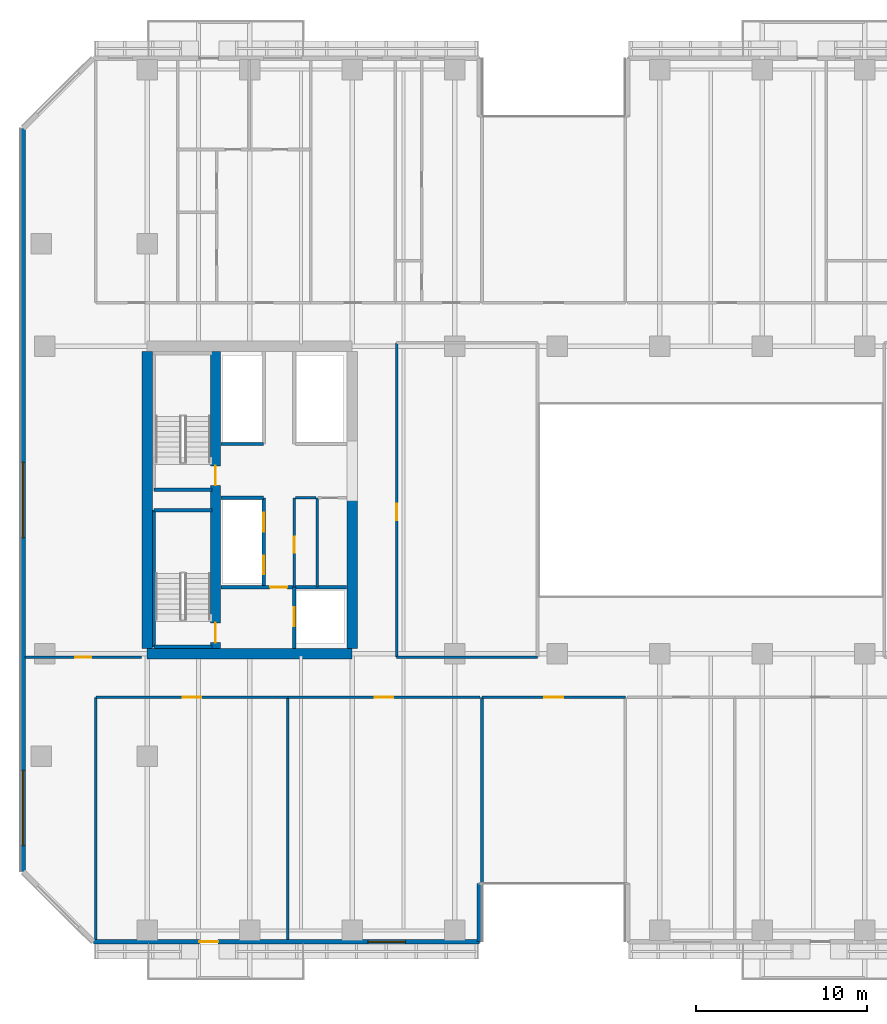
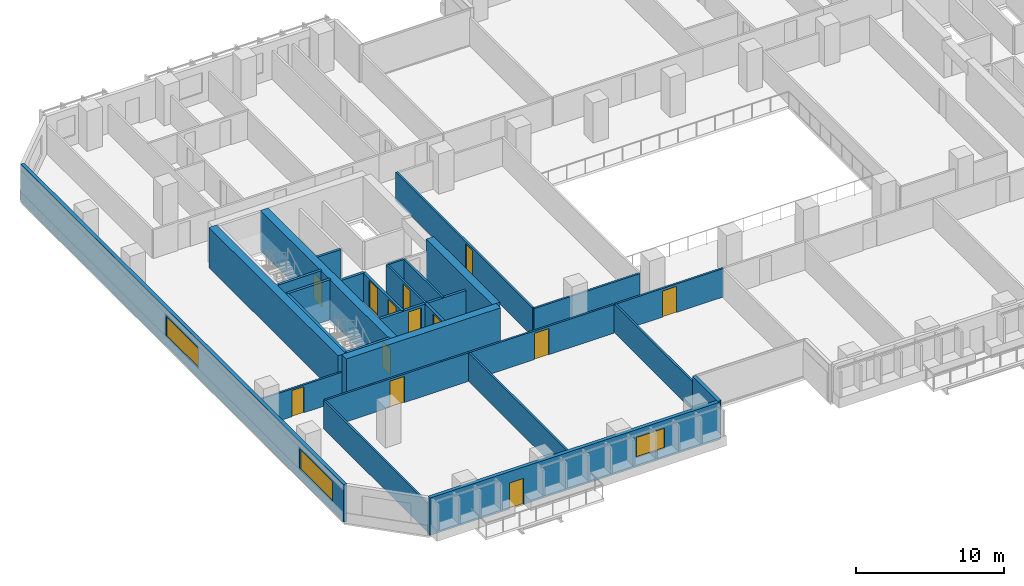
# One storey, part 10 of 25: 28 walls, 13 doors, 3 windows, 16 openings.
"""IFC4 building model written with IfcOpenShell, lengths in metres."""

from ifc_helpers import new_model, si_unit, direction, frame, frame_2d, origin, place, context, subcontext, project, spatial, rectangle, extrude, material, layer, layer_set, type_object, element, fill, save


model = new_model("IFC4")

# Units and contexts
model_context = context("Model", 3, precision=1e-05, world=origin(), true_north=direction((0.0, 1.0)))
body_context = subcontext(model_context, "Body", "Model", "MODEL_VIEW")
ifc_project = project(units=[si_unit("LENGTHUNIT", "METRE"), si_unit("AREAUNIT", "SQUARE_METRE"), si_unit("VOLUMEUNIT", "CUBIC_METRE"), si_unit("PLANEANGLEUNIT", "RADIAN"), si_unit("MASSUNIT", "GRAM", prefix="KILO")], contexts=[model_context])

# Site, building, storey
site_placement = place(None, origin())
site = spatial("IfcSite", under=ifc_project, at=site_placement, CompositionType="ELEMENT")
building_placement = place(site_placement, origin())
building = spatial("IfcBuilding", under=site, at=building_placement, Name="Tanjung Sevakor Pilgrim Tower", CompositionType="ELEMENT")
storey_placement = place(building_placement, frame((0.0, 0.0, 42.239990234375)))
storey = spatial("IfcBuildingStorey", under=building, at=storey_placement, Name="L11", CompositionType="ELEMENT", Elevation=42.239990234375)

# Walls
ifc_material_1 = material(Name="Concrete C60/75", Category="concrete")
ifc_layer_1 = layer(ifc_material_1, 0.60009765625)
ifc_layer_set_1 = layer_set([ifc_layer_1], Name="WALL-CW-600")
wall_type_1 = type_object("IfcWallType", Name="WALL-CW-600", PredefinedType="SHEAR", material=ifc_layer_set_1)
wall_1_placement = place(storey_placement, frame((24.0, 24.60009765625, 0.0), z_axis=(0.0, 0.0, 1.0), x_axis=(1.0, 0.0, 0.0)))
element("IfcWall", 1, at=wall_1_placement, inside=storey, type_object=wall_type_1, Name="L11 W Core South Shear Wall", PredefinedType="SHEAR", context=body_context, shape_type="SweptSolid", body=[
    extrude(rectangle(XDim=12.0, YDim=0.60009765625, at=frame_2d((6.0, 0.0))), origin(), (0.0, 0.0, 1.0), 3.300048828125),
])
wall_2_placement = place(storey_placement, frame((24.0, 24.89990234375, 0.0), z_axis=(0.0, 0.0, 1.0), x_axis=(0.0, 1.0, 0.0)))
element("IfcWall", 2, at=wall_2_placement, inside=storey, type_object=wall_type_1, Name="L11 W Core Outer Shear Wall", PredefinedType="SHEAR", context=body_context, shape_type="SweptSolid", body=[
    extrude(rectangle(XDim=17.400146484375, YDim=0.60009765625, at=frame_2d((8.7001953125, 0.0))), origin(), (0.0, 0.0, 1.0), 3.300048828125),
])
wall_3_placement = place(storey_placement, frame((36.0, 24.89990234375, 0.0), z_axis=(0.0, 0.0, 1.0), x_axis=(0.0, 1.0, 0.0)))
element("IfcWall", 3, at=wall_3_placement, inside=storey, type_object=wall_type_1, Name="L11 W Core Inner Shear Wall South", PredefinedType="SHEAR", context=body_context, shape_type="SweptSolid", body=[
    extrude(rectangle(XDim=8.900146484375, YDim=0.60009765625, at=frame_2d((4.4501953125, 0.0))), origin(), (0.0, 0.0, 1.0), 3.300048828125),
])

# Wall, openings, doors
wall_4_placement = place(storey_placement, frame((28.0, 24.89990234375, 0.0), z_axis=(0.0, 0.0, 1.0), x_axis=(0.0, 1.0, 0.0)))
wall_4 = element("IfcWall", 4, at=wall_4_placement, inside=storey, type_object=wall_type_1, Name="L11 W Core Stair Spine Wall", PredefinedType="SHEAR", context=body_context, shape_type="SweptSolid", body=[
    extrude(rectangle(XDim=17.400146484375, YDim=0.60009765625, at=frame_2d((8.7001953125, 0.0))), origin(), (0.0, 0.0, 1.0), 3.300048828125),
])
opening_1_placement = place(wall_4_placement, frame((0.35009765625, 0.0, 0.0)))
opening_1 = element("IfcOpeningElement", 5, at=opening_1_placement, cuts=wall_4, Name="Opening ID-ST1", PredefinedType="OPENING", context=body_context, shape_type="SweptSolid", body=[
    extrude(rectangle(XDim=1.14990234375, YDim=2.14990234375, at=frame_2d((0.574951171875, 1.074951171875))), frame((0.0, 0.31005859375, 0.0), z_axis=(0.0, -1.0, 0.0), x_axis=(1.0, 0.0, 0.0)), (0.0, 0.0, 1.0), 0.6201171875),
])
opening_2_placement = place(wall_4_placement, frame((9.550048828125, 0.0, 0.0)))
opening_2 = element("IfcOpeningElement", 6, at=opening_2_placement, cuts=wall_4, Name="Opening ID-ST1", PredefinedType="OPENING", context=body_context, shape_type="SweptSolid", body=[
    extrude(rectangle(XDim=1.14990234375, YDim=2.14990234375, at=frame_2d((0.574951171875, 1.074951171875))), frame((0.0, 0.31005859375, 0.0), z_axis=(0.0, -1.0, 0.0), x_axis=(1.0, 0.0, 0.0)), (0.0, 0.0, 1.0), 0.6201171875),
])
ifc_material_2 = material(Name="Fire-Rated Steel S355J2", Category="steel")
door_type_1 = type_object("IfcDoorType", Name="DT-FIRE-1150", OperationType="NOTDEFINED", PredefinedType="DOOR", material=ifc_material_2)
door_1_placement = place(opening_1_placement, origin())
door_1 = element("IfcDoor", 7, at=door_1_placement, inside=storey, type_object=door_type_1, Name="L11 TS-W1 Stair Fire Door", OperationType="SINGLE_SWING_RIGHT", OverallHeight=2.14990234375, OverallWidth=1.14990234375, PredefinedType="DOOR", context=body_context, shape_type="SweptSolid", body=[
    extrude(rectangle(XDim=1.14990234375, YDim=2.14990234375, at=frame_2d((0.574951171875, 1.074951171875))), frame((0.0, 0.02490234375, 0.0), z_axis=(0.0, -1.0, 0.0), x_axis=(1.0, 0.0, 0.0)), (0.0, 0.0, 1.0), 0.050048828125),
])
fill(opening_1, door_1)
door_2_placement = place(opening_2_placement, origin())
door_2 = element("IfcDoor", 8, at=door_2_placement, inside=storey, type_object=door_type_1, Name="L11 TS-W2 Stair Fire Door", OperationType="SINGLE_SWING_LEFT", OverallHeight=2.14990234375, OverallWidth=1.14990234375, PredefinedType="DOOR", context=body_context, shape_type="SweptSolid", body=[
    extrude(rectangle(XDim=1.14990234375, YDim=2.14990234375, at=frame_2d((0.574951171875, 1.074951171875))), frame((0.0, 0.02490234375, 0.0), z_axis=(0.0, -1.0, 0.0), x_axis=(1.0, 0.0, 0.0)), (0.0, 0.0, 1.0), 0.050048828125),
])
fill(opening_2, door_2)

# Walls
ifc_material_3 = material(Name="Concrete C40/50", Category="concrete")
ifc_layer_2 = layer(ifc_material_3, 0.14990234375)
ifc_layer_set_2 = layer_set([ifc_layer_2], Name="WT-COMP-150")
wall_type_2 = type_object("IfcWallType", Name="WT-COMP-150", PredefinedType="SOLIDWALL", material=ifc_layer_set_2)
wall_5_placement = place(storey_placement, frame((33.949951171875, 28.5, 0.0), z_axis=(0.0, 0.0, 1.0), x_axis=(0.0, 1.0, 0.0)))
element("IfcWall", 9, at=wall_5_placement, inside=storey, type_object=wall_type_2, Name="L11 Partition IW-L11-005", PredefinedType="SOLIDWALL", context=body_context, shape_type="SweptSolid", body=[
    extrude(rectangle(XDim=5.219970703125, YDim=0.14990234375, at=frame_2d((2.60986328125, 0.0))), origin(), (0.0, 0.0, 1.0), 2.35009765625),
])
wall_6_placement = place(storey_placement, frame((32.679931640625, 33.719970703125, 0.0), z_axis=(0.0, 0.0, 1.0), x_axis=(1.0, 0.0, 0.0)))
element("IfcWall", 10, at=wall_6_placement, inside=storey, type_object=wall_type_2, Name="L11 Partition IW-L11-006", PredefinedType="SOLIDWALL", context=body_context, shape_type="SweptSolid", body=[
    extrude(rectangle(XDim=1.2099609375, YDim=0.14990234375, at=frame_2d((0.60498046875, 0.0))), origin(), (0.0, 0.0, 1.0), 2.35009765625),
])

# Wall, opening, door
wall_7_placement = place(storey_placement, frame((32.6201171875, 28.5, 0.0), z_axis=(0.0, 0.0, 1.0), x_axis=(0.0, 1.0, 0.0)))
wall_7 = element("IfcWall", 11, at=wall_7_placement, inside=storey, type_object=wall_type_2, Name="L11 Partition IW-L11-008", PredefinedType="SOLIDWALL", context=body_context, shape_type="SweptSolid", body=[
    extrude(rectangle(XDim=5.219970703125, YDim=0.14990234375, at=frame_2d((2.60986328125, 0.0))), origin(), (0.0, 0.0, 1.0), 2.35009765625),
])
opening_3_placement = place(wall_7_placement, frame((2.0, 0.0, 0.0)))
opening_3 = element("IfcOpeningElement", 12, at=opening_3_placement, cuts=wall_7, Name="Opening ID-FD2", PredefinedType="OPENING", context=body_context, shape_type="SweptSolid", body=[
    extrude(rectangle(XDim=0.949951171875, YDim=2.14990234375, at=frame_2d((0.47509765625, 1.074951171875))), frame((0.0, 0.0849609375, 0.0), z_axis=(0.0, -1.0, 0.0), x_axis=(1.0, 0.0, 0.0)), (0.0, 0.0, 1.0), 0.169921875),
])
ifc_material_4 = material(Name="Fire-Rated Timber", Category="wood")
door_type_2 = type_object("IfcDoorType", Name="DT-FIRE-950", OperationType="NOTDEFINED", PredefinedType="DOOR", material=ifc_material_4)
door_3_placement = place(opening_3_placement, origin())
door_3 = element("IfcDoor", 13, at=door_3_placement, inside=storey, type_object=door_type_2, Name="L11 Accessible WC Door", OperationType="SINGLE_SWING_LEFT", OverallHeight=2.14990234375, OverallWidth=0.949951171875, PredefinedType="DOOR", context=body_context, shape_type="SweptSolid", body=[
    extrude(rectangle(XDim=0.949951171875, YDim=2.14990234375, at=frame_2d((0.47509765625, 1.074951171875))), frame((0.0, 0.02490234375, 0.0), z_axis=(0.0, -1.0, 0.0), x_axis=(1.0, 0.0, 0.0)), (0.0, 0.0, 1.0), 0.050048828125),
])
fill(opening_3, door_3)

# Wall
wall_8_placement = place(storey_placement, frame((38.60009765625, 24.39990234375, 0.0), z_axis=(0.0, 0.0, 1.0), x_axis=(1.0, 0.0, 0.0)))
element("IfcWall", 14, at=wall_8_placement, inside=storey, type_object=wall_type_2, Name="L11 Partition IW-L11-025", PredefinedType="SOLIDWALL", context=body_context, shape_type="SweptSolid", body=[
    extrude(rectangle(XDim=8.25, YDim=0.14990234375, at=frame_2d((4.125, 0.0))), origin(), (0.0, 0.0, 1.0), 2.295166015625),
])

# Wall, opening, door
wall_9_placement = place(storey_placement, frame((38.60009765625, 24.39990234375, 0.0), z_axis=(0.0, 0.0, 1.0), x_axis=(0.0, 1.0, 0.0)))
wall_9 = element("IfcWall", 15, at=wall_9_placement, inside=storey, type_object=wall_type_2, Name="L11 Partition IW-L11-027", PredefinedType="SOLIDWALL", context=body_context, shape_type="SweptSolid", body=[
    extrude(rectangle(XDim=18.400146484375, YDim=0.14990234375, at=frame_2d((9.2001953125, 0.0))), origin(), (0.0, 0.0, 1.0), 2.35009765625),
])
opening_4_placement = place(wall_9_placement, frame((8.02490234375, 0.0, 0.0)))
opening_4 = element("IfcOpeningElement", 16, at=opening_4_placement, cuts=wall_9, Name="Opening ID-RM1", PredefinedType="OPENING", context=body_context, shape_type="SweptSolid", body=[
    extrude(rectangle(XDim=0.949951171875, YDim=2.14990234375, at=frame_2d((0.47509765625, 1.074951171875))), frame((0.0, 0.0849609375, 0.0), z_axis=(0.0, -1.0, 0.0), x_axis=(1.0, 0.0, 0.0)), (0.0, 0.0, 1.0), 0.169921875),
])
ifc_material_5 = material(Name="Hardwood Timber", Category="wood")
door_type_3 = type_object("IfcDoorType", Name="DT-INT-950", OperationType="NOTDEFINED", PredefinedType="DOOR", material=ifc_material_5)
door_4_placement = place(opening_4_placement, origin())
door_4 = element("IfcDoor", 17, at=door_4_placement, inside=storey, type_object=door_type_3, Name="L11 Central West Room Door", OperationType="SINGLE_SWING_RIGHT", OverallHeight=2.14990234375, OverallWidth=0.949951171875, PredefinedType="DOOR", context=body_context, shape_type="SweptSolid", body=[
    extrude(rectangle(XDim=0.949951171875, YDim=2.14990234375, at=frame_2d((0.47509765625, 1.074951171875))), frame((0.0, 0.02490234375, 0.0), z_axis=(0.0, -1.0, 0.0), x_axis=(1.0, 0.0, 0.0)), (0.0, 0.0, 1.0), 0.050048828125),
])
fill(opening_4, door_4)

wall_10_placement = place(storey_placement, frame((16.840087890625, 24.39990234375, 0.0), z_axis=(0.0, 0.0, 1.0), x_axis=(1.0, 0.0, 0.0)))
wall_10 = element("IfcWall", 18, at=wall_10_placement, inside=storey, type_object=wall_type_2, Name="L11 Partition IW-L11-033", PredefinedType="SOLIDWALL", context=body_context, shape_type="SweptSolid", body=[
    extrude(rectangle(XDim=6.83984375, YDim=0.14990234375, at=frame_2d((3.419921875, 0.0))), origin(), (0.0, 0.0, 1.0), 2.295166015625),
])
opening_5_placement = place(wall_10_placement, frame((2.945068359375, 0.0, 0.0)))
opening_5 = element("IfcOpeningElement", 19, at=opening_5_placement, cuts=wall_10, Name="Opening ID-FD2", PredefinedType="OPENING", context=body_context, shape_type="SweptSolid", body=[
    extrude(rectangle(XDim=0.949951171875, YDim=2.14990234375, at=frame_2d((0.47509765625, 1.074951171875))), frame((0.0, 0.0849609375, 0.0), z_axis=(0.0, -1.0, 0.0), x_axis=(1.0, 0.0, 0.0)), (0.0, 0.0, 1.0), 0.169921875),
])
door_5_placement = place(opening_5_placement, origin())
door_5 = element("IfcDoor", 20, at=door_5_placement, inside=storey, type_object=door_type_2, Name="Study Room Entrance", OperationType="SINGLE_SWING_RIGHT", OverallHeight=2.14990234375, OverallWidth=0.949951171875, PredefinedType="DOOR", context=body_context, shape_type="SweptSolid", body=[
    extrude(rectangle(XDim=0.949951171875, YDim=2.14990234375, at=frame_2d((0.47509765625, 1.074951171875))), frame((0.0, 0.02490234375, 0.0), z_axis=(0.0, -1.0, 0.0), x_axis=(1.0, 0.0, 0.0)), (0.0, 0.0, 1.0), 0.050048828125),
])
fill(opening_5, door_5)

wall_11_placement = place(storey_placement, frame((43.60009765625, 22.050048828125, 0.0), z_axis=(0.0, 0.0, 1.0), x_axis=(1.0, 0.0, 0.0)))
wall_11 = element("IfcWall", 21, at=wall_11_placement, inside=storey, type_object=wall_type_2, Name="L11 Partition IW-L11-040", PredefinedType="SOLIDWALL", context=body_context, shape_type="SweptSolid", body=[
    extrude(rectangle(XDim=8.39990234375, YDim=0.14990234375, at=frame_2d((4.199951171875, 0.0))), origin(), (0.0, 0.0, 1.0), 2.35009765625),
])
opening_6_placement = place(wall_11_placement, frame((3.64990234375, 0.0, 0.0)))
opening_6 = element("IfcOpeningElement", 22, at=opening_6_placement, cuts=wall_11, Name="Opening ID-RM2", PredefinedType="OPENING", context=body_context, shape_type="SweptSolid", body=[
    extrude(rectangle(XDim=1.10009765625, YDim=2.14990234375, at=frame_2d((0.550048828125, 1.074951171875))), frame((0.0, 0.0849609375, 0.0), z_axis=(0.0, -1.0, 0.0), x_axis=(1.0, 0.0, 0.0)), (0.0, 0.0, 1.0), 0.169921875),
])
ifc_material_6 = material(Name="Hardwood Timber", Category="wood")
door_type_4 = type_object("IfcDoorType", Name="DT-INT-1100", OperationType="NOTDEFINED", PredefinedType="DOOR", material=ifc_material_6)
door_6_placement = place(opening_6_placement, origin())
door_6 = element("IfcDoor", 23, at=door_6_placement, inside=storey, type_object=door_type_4, Name="L11 South Cleft Tea Sanctuary Door", OperationType="SINGLE_SWING_LEFT", OverallHeight=2.14990234375, OverallWidth=1.10009765625, PredefinedType="DOOR", context=body_context, shape_type="SweptSolid", body=[
    extrude(rectangle(XDim=1.10009765625, YDim=2.14990234375, at=frame_2d((0.550048828125, 1.074951171875))), frame((0.0, 0.02490234375, 0.0), z_axis=(0.0, -1.0, 0.0), x_axis=(1.0, 0.0, 0.0)), (0.0, 0.0, 1.0), 0.050048828125),
])
fill(opening_6, door_6)

# Walls
for number, where, z_axis, x_axis, name in (
    (24, (43.60009765625, 7.8798828125, 0.0), (0.0, 0.0, 1.0), (0.0, 1.0, 0.0), "L11 Partition IW-L11-041"),
    (25, (21.0, 7.8798828125, 0.0), (0.0, 0.0, 1.0), (0.0, 1.0, 0.0), "L11 Partition IW-L11-046"),
    (26, (32.239990234375, 7.8798828125, 0.0), (0.0, 0.0, 1.0), (0.0, 1.0, 0.0), "L11 Partition IW-L11-047"),
):
    element("IfcWall", number, at=place(storey_placement, frame(where, z_axis=z_axis, x_axis=x_axis)), inside=storey, type_object=wall_type_2, Name=name, PredefinedType="SOLIDWALL", context=body_context, shape_type="SweptSolid", body=[
        extrude(rectangle(XDim=14.170166015625, YDim=0.14990234375, at=frame_2d((7.0849609375, 0.0))), origin(), (0.0, 0.0, 1.0), 2.35009765625),
    ])

# Wall, opening, door
wall_12_placement = place(storey_placement, frame((21.0, 22.050048828125, 0.0), z_axis=(0.0, 0.0, 1.0), x_axis=(1.0, 0.0, 0.0)))
wall_12 = element("IfcWall", 27, at=wall_12_placement, inside=storey, type_object=wall_type_2, Name="L11 Partition IW-L11-048", PredefinedType="SOLIDWALL", context=body_context, shape_type="SweptSolid", body=[
    extrude(rectangle(XDim=11.239990234375, YDim=0.14990234375, at=frame_2d((5.6201171875, 0.0))), origin(), (0.0, 0.0, 1.0), 2.35009765625),
])
opening_7_placement = place(wall_12_placement, frame((5.070068359375, 0.0, 0.0)))
opening_7 = element("IfcOpeningElement", 28, at=opening_7_placement, cuts=wall_12, Name="Opening ID-FD0", PredefinedType="OPENING", context=body_context, shape_type="SweptSolid", body=[
    extrude(rectangle(XDim=1.10009765625, YDim=2.14990234375, at=frame_2d((0.550048828125, 1.074951171875))), frame((0.0, 0.0849609375, 0.0), z_axis=(0.0, -1.0, 0.0), x_axis=(1.0, 0.0, 0.0)), (0.0, 0.0, 1.0), 0.169921875),
])
ifc_material_7 = material(Name="Fire-Rated Steel S355J2", Category="steel")
door_type_5 = type_object("IfcDoorType", Name="DT-FIRE-1100", OperationType="NOTDEFINED", PredefinedType="DOOR", material=ifc_material_7)
door_7_placement = place(opening_7_placement, origin())
door_7 = element("IfcDoor", 29, at=door_7_placement, inside=storey, type_object=door_type_5, Name="Communal Lounge Door", OperationType="SINGLE_SWING_LEFT", OverallHeight=2.14990234375, OverallWidth=1.10009765625, PredefinedType="DOOR", context=body_context, shape_type="SweptSolid", body=[
    extrude(rectangle(XDim=1.10009765625, YDim=2.14990234375, at=frame_2d((0.550048828125, 1.074951171875))), frame((0.0, 0.02490234375, 0.0), z_axis=(0.0, -1.0, 0.0), x_axis=(1.0, 0.0, 0.0)), (0.0, 0.0, 1.0), 0.050048828125),
])
fill(opening_7, door_7)

wall_13_placement = place(storey_placement, frame((32.239990234375, 22.050048828125, 0.0), z_axis=(0.0, 0.0, 1.0), x_axis=(1.0, 0.0, 0.0)))
wall_13 = element("IfcWall", 30, at=wall_13_placement, inside=storey, type_object=wall_type_2, Name="L11 Partition IW-L11-049", PredefinedType="SOLIDWALL", context=body_context, shape_type="SweptSolid", body=[
    extrude(rectangle(XDim=11.239990234375, YDim=0.14990234375, at=frame_2d((5.6201171875, 0.0))), origin(), (0.0, 0.0, 1.0), 2.35009765625),
])
opening_8_placement = place(wall_13_placement, frame((5.070068359375, 0.0, 0.0)))
opening_8 = element("IfcOpeningElement", 31, at=opening_8_placement, cuts=wall_13, Name="Opening ID-FD0", PredefinedType="OPENING", context=body_context, shape_type="SweptSolid", body=[
    extrude(rectangle(XDim=1.10009765625, YDim=2.14990234375, at=frame_2d((0.550048828125, 1.074951171875))), frame((0.0, 0.0849609375, 0.0), z_axis=(0.0, -1.0, 0.0), x_axis=(1.0, 0.0, 0.0)), (0.0, 0.0, 1.0), 0.169921875),
])
door_8_placement = place(opening_8_placement, origin())
door_8 = element("IfcDoor", 32, at=door_8_placement, inside=storey, type_object=door_type_5, Name="Council Room Door", OperationType="SINGLE_SWING_RIGHT", OverallHeight=2.14990234375, OverallWidth=1.10009765625, PredefinedType="DOOR", context=body_context, shape_type="SweptSolid", body=[
    extrude(rectangle(XDim=1.10009765625, YDim=2.14990234375, at=frame_2d((0.550048828125, 1.074951171875))), frame((0.0, 0.02490234375, 0.0), z_axis=(0.0, -1.0, 0.0), x_axis=(1.0, 0.0, 0.0)), (0.0, 0.0, 1.0), 0.050048828125),
])
fill(opening_8, door_8)

# Wall, openings, door, window
ifc_material_8 = material(Name="Precast concrete C45/55", Category="concrete")
ifc_layer_3 = layer(ifc_material_8, 0.280029296875)
ifc_layer_set_3 = layer_set([ifc_layer_3], Name="WT-EW-STN2")
wall_type_3 = type_object("IfcWallType", Name="WT-EW-STN2", PredefinedType="SOLIDWALL", material=ifc_layer_set_3)
wall_14_placement = place(storey_placement, frame((20.85791015625, 7.739990234375, 0.0), z_axis=(0.0, 0.0, 1.0), x_axis=(1.0, 0.0, 0.0)))
wall_14 = element("IfcWall", 33, at=wall_14_placement, inside=storey, type_object=wall_type_3, Name="L11 MAIN Exterior Wall 1", PredefinedType="SOLIDWALL", context=body_context, shape_type="SweptSolid", body=[
    extrude(rectangle(XDim=22.60205078125, YDim=0.280029296875, at=frame_2d((11.301025390625, 0.0))), origin(), (0.0, 0.0, 1.0), 3.080078125),
])
opening_9_placement = place(wall_14_placement, frame((6.19189453125, 0.0, 0.0)))
opening_9 = element("IfcOpeningElement", 34, at=opening_9_placement, cuts=wall_14, Name="Opening ED-BAL-1100", PredefinedType="OPENING", context=body_context, shape_type="SweptSolid", body=[
    extrude(rectangle(XDim=1.10009765625, YDim=2.14990234375, at=frame_2d((0.550048828125, 1.074951171875))), frame((0.0, 0.14990234375, 0.0), z_axis=(0.0, -1.0, 0.0), x_axis=(1.0, 0.0, 0.0)), (0.0, 0.0, 1.0), 0.300048828125),
])
opening_10_placement = place(wall_14_placement, frame((16.06201171875, 0.0, 0.780029296875)))
opening_10 = element("IfcOpeningElement", 35, at=opening_10_placement, cuts=wall_14, Name="Opening WN-Z1-1660", PredefinedType="OPENING", context=body_context, shape_type="SweptSolid", body=[
    extrude(rectangle(XDim=2.199951171875, YDim=1.659912109375, at=frame_2d((1.10009765625, 0.830078125))), frame((0.0, 0.14990234375, 0.0), z_axis=(0.0, -1.0, 0.0), x_axis=(1.0, 0.0, 0.0)), (0.0, 0.0, 1.0), 0.300048828125),
])
ifc_material_9 = material(Name="Anodised Aluminium and Laminated Glass", Category="aluminium")
door_type_6 = type_object("IfcDoorType", Name="DTYP-ED-BAL-1100", OperationType="NOTDEFINED", PredefinedType="DOOR", material=ifc_material_9)
door_9_placement = place(opening_9_placement, frame((1.10009765625, 0.0, 0.0), z_axis=(0.0, 0.0, 1.0), x_axis=(-1.0, 0.0, 0.0)))
door_9 = element("IfcDoor", 36, at=door_9_placement, inside=storey, type_object=door_type_6, Name="L11 Balcony Door MAIN-S1", OperationType="SINGLE_SWING_RIGHT", OverallHeight=2.14990234375, OverallWidth=1.10009765625, PredefinedType="DOOR", context=body_context, shape_type="SweptSolid", body=[
    extrude(rectangle(XDim=1.10009765625, YDim=2.14990234375, at=frame_2d((0.550048828125, 1.074951171875))), frame((0.0, 0.02490234375, 0.0), z_axis=(0.0, -1.0, 0.0), x_axis=(1.0, 0.0, 0.0)), (0.0, 0.0, 1.0), 0.050048828125),
])
fill(opening_9, door_9)
ifc_material_10 = material(Name="Thermally Broken Aluminium and Low-E Glass", Category="aluminium")
window_type_1 = type_object("IfcWindowType", Name="WTYP-WN-Z1-1660", PartitioningType="DOUBLE_PANEL_VERTICAL", PredefinedType="WINDOW", material=ifc_material_10)
window_1_placement = place(opening_10_placement, origin())
window_1 = element("IfcWindow", 37, at=window_1_placement, inside=storey, type_object=window_type_1, Name="L11 Facade Window 01", OverallHeight=1.659912109375, OverallWidth=2.199951171875, PartitioningType="SINGLE_PANEL", PredefinedType="WINDOW", context=body_context, shape_type="SweptSolid", body=[
    extrude(rectangle(XDim=2.199951171875, YDim=1.659912109375, at=frame_2d((1.10009765625, 0.830078125))), frame((0.0, 0.030029296875, 0.0), z_axis=(0.0, -1.0, 0.0), x_axis=(1.0, 0.0, 0.0)), (0.0, 0.0, 1.0), 0.06005859375),
])
fill(opening_10, window_1)

# Wall
wall_15_placement = place(storey_placement, frame((43.4599609375, 7.739990234375, 0.0), z_axis=(0.0, 0.0, 1.0), x_axis=(0.0, 1.0, 0.0)))
element("IfcWall", 38, at=wall_15_placement, inside=storey, type_object=wall_type_3, Name="L11 MAIN Exterior Wall 2", PredefinedType="SOLIDWALL", context=body_context, shape_type="SweptSolid", body=[
    extrude(rectangle(XDim=3.39990234375, YDim=0.280029296875, at=frame_2d((1.699951171875, 0.0))), origin(), (0.0, 0.0, 1.0), 3.080078125),
])

# Wall, openings, windows
wall_16_placement = place(storey_placement, frame((16.739990234375, 55.342041015625, 0.0), z_axis=(0.0, 0.0, 1.0), x_axis=(0.0, -1.0, 0.0)))
wall_16 = element("IfcWall", 39, at=wall_16_placement, inside=storey, type_object=wall_type_3, Name="L11 MAIN Exterior Wall 15", PredefinedType="SOLIDWALL", context=body_context, shape_type="SweptSolid", body=[
    extrude(rectangle(XDim=43.484130859375, YDim=0.280029296875, at=frame_2d((21.7421875, 0.0))), origin(), (0.0, 0.0, 1.0), 3.080078125),
])
opening_11_placement = place(wall_16_placement, frame((19.5419921875, 0.0, 0.780029296875)))
opening_11 = element("IfcOpeningElement", 40, at=opening_11_placement, cuts=wall_16, Name="Opening WN-ENDW-1660", PredefinedType="OPENING", context=body_context, shape_type="SweptSolid", body=[
    extrude(rectangle(XDim=4.39990234375, YDim=1.659912109375, at=frame_2d((2.199951171875, 0.830078125))), frame((0.0, 0.14990234375, 0.0), z_axis=(0.0, -1.0, 0.0), x_axis=(1.0, 0.0, 0.0)), (0.0, 0.0, 1.0), 0.300048828125),
])
opening_12_placement = place(wall_16_placement, frame((37.572998046875, 0.0, 0.780029296875)))
opening_12 = element("IfcOpeningElement", 41, at=opening_12_placement, cuts=wall_16, Name="Opening WN-ENDW-1660", PredefinedType="OPENING", context=body_context, shape_type="SweptSolid", body=[
    extrude(rectangle(XDim=4.39990234375, YDim=1.659912109375, at=frame_2d((2.199951171875, 0.830078125))), frame((0.0, 0.14990234375, 0.0), z_axis=(0.0, -1.0, 0.0), x_axis=(1.0, 0.0, 0.0)), (0.0, 0.0, 1.0), 0.300048828125),
])
ifc_material_11 = material(Name="Thermally Broken Aluminium and Low-E Glass", Category="aluminium")
window_type_2 = type_object("IfcWindowType", Name="WTYP-WN-ENDW-1660", PartitioningType="DOUBLE_PANEL_VERTICAL", PredefinedType="WINDOW", material=ifc_material_11)
window_2_placement = place(opening_11_placement, origin())
window_2 = element("IfcWindow", 42, at=window_2_placement, inside=storey, type_object=window_type_2, Name="L11 Facade Window 01", OverallHeight=1.659912109375, OverallWidth=4.39990234375, PartitioningType="SINGLE_PANEL", PredefinedType="WINDOW", context=body_context, shape_type="SweptSolid", body=[
    extrude(rectangle(XDim=4.39990234375, YDim=1.659912109375, at=frame_2d((2.199951171875, 0.830078125))), frame((0.0, 0.030029296875, 0.0), z_axis=(0.0, -1.0, 0.0), x_axis=(1.0, 0.0, 0.0)), (0.0, 0.0, 1.0), 0.06005859375),
])
fill(opening_11, window_2)
window_3_placement = place(opening_12_placement, origin())
window_3 = element("IfcWindow", 43, at=window_3_placement, inside=storey, type_object=window_type_2, Name="L11 Facade Window 02", OverallHeight=1.659912109375, OverallWidth=4.39990234375, PartitioningType="SINGLE_PANEL", PredefinedType="WINDOW", context=body_context, shape_type="SweptSolid", body=[
    extrude(rectangle(XDim=4.39990234375, YDim=1.659912109375, at=frame_2d((2.199951171875, 0.830078125))), frame((0.0, 0.030029296875, 0.0), z_axis=(0.0, -1.0, 0.0), x_axis=(1.0, 0.0, 0.0)), (0.0, 0.0, 1.0), 0.06005859375),
])
fill(opening_12, window_3)

# Walls
ifc_material_12 = material(Name="Concrete C40/50", Category="concrete")
ifc_layer_4 = layer(ifc_material_12, 0.199951171875)
ifc_layer_set_4 = layer_set([ifc_layer_4], Name="WT-FIRE-200")
wall_type_4 = type_object("IfcWallType", Name="WT-FIRE-200", PredefinedType="SOLIDWALL", material=ifc_layer_set_4)
for number, where, z_axis, x_axis, name in (
    (44, (24.39990234375, 25.0, 0.0), (0.0, 0.0, 1.0), (1.0, 0.0, 0.0), "L11 TS-W1 Shaft Wall 1"),
    (45, (27.800048828125, 33.0, 0.0), (0.0, 0.0, 1.0), (-1.0, 0.0, 0.0), "L11 TS-W1 Shaft Wall 2"),
):
    element("IfcWall", number, at=place(storey_placement, frame(where, z_axis=z_axis, x_axis=x_axis)), inside=storey, type_object=wall_type_4, Name=name, PredefinedType="SOLIDWALL", context=body_context, shape_type="SweptSolid", body=[
        extrude(rectangle(XDim=3.400146484375, YDim=0.199951171875, at=frame_2d((1.7001953125, 0.0))), origin(), (0.0, 0.0, 1.0), 3.300048828125),
    ])
wall_17_placement = place(storey_placement, frame((24.39990234375, 33.0, 0.0), z_axis=(0.0, 0.0, 1.0), x_axis=(0.0, -1.0, 0.0)))
element("IfcWall", 46, at=wall_17_placement, inside=storey, type_object=wall_type_4, Name="L11 TS-W1 Shaft Wall 3", PredefinedType="SOLIDWALL", context=body_context, shape_type="SweptSolid", body=[
    extrude(rectangle(XDim=8.0, YDim=0.199951171875, at=frame_2d((4.0, 0.0))), origin(), (0.0, 0.0, 1.0), 3.300048828125),
])
wall_18_placement = place(storey_placement, frame((24.39990234375, 34.199951171875, 0.0), z_axis=(0.0, 0.0, 1.0), x_axis=(1.0, 0.0, 0.0)))
element("IfcWall", 47, at=wall_18_placement, inside=storey, type_object=wall_type_4, Name="L11 TS-W2 Shaft Wall 1", PredefinedType="SOLIDWALL", context=body_context, shape_type="SweptSolid", body=[
    extrude(rectangle(XDim=3.400146484375, YDim=0.199951171875, at=frame_2d((1.7001953125, 0.0))), origin(), (0.0, 0.0, 1.0), 3.300048828125),
])

# Wall, opening, door
ifc_material_13 = material(Name="Concrete C40/50", Category="concrete")
ifc_layer_5 = layer(ifc_material_13, 0.199951171875)
ifc_layer_set_5 = layer_set([ifc_layer_5], Name="WT-FPRT-200")
wall_type_5 = type_object("IfcWallType", Name="WT-FPRT-200", PredefinedType="SOLIDWALL", material=ifc_layer_set_5)
wall_19_placement = place(storey_placement, frame((32.60009765625, 24.919921875, 0.0), z_axis=(0.0, 0.0, 1.0), x_axis=(0.0, 1.0, 0.0)))
wall_19 = element("IfcWall", 48, at=wall_19_placement, inside=storey, type_object=wall_type_5, Name="L11 Partition IW-L11-001", PredefinedType="SOLIDWALL", context=body_context, shape_type="SweptSolid", body=[
    extrude(rectangle(XDim=3.580078125, YDim=0.199951171875, at=frame_2d((1.7900390625, 0.0))), origin(), (0.0, 0.0, 1.0), 2.35009765625),
])
opening_13_placement = place(wall_19_placement, frame((1.300048828125, 0.0, 0.0)))
opening_13 = element("IfcOpeningElement", 49, at=opening_13_placement, cuts=wall_19, Name="Opening LD-1100", PredefinedType="OPENING", context=body_context, shape_type="SweptSolid", body=[
    extrude(rectangle(XDim=1.10009765625, YDim=2.199951171875, at=frame_2d((0.550048828125, 1.10009765625))), frame((0.0, 0.10986328125, 0.0), z_axis=(0.0, -1.0, 0.0), x_axis=(1.0, 0.0, 0.0)), (0.0, 0.0, 1.0), 0.219970703125),
])
ifc_material_14 = material(Name="Brushed Stainless Steel S355J2", Category="steel")
door_type_7 = type_object("IfcDoorType", Name="DT-LIFT-1100", OperationType="SLIDING_TO_LEFT", PredefinedType="DOOR", material=ifc_material_14)
door_10_placement = place(opening_13_placement, origin())
door_10 = element("IfcDoor", 50, at=door_10_placement, inside=storey, type_object=door_type_7, Name="LD-FL-W", OperationType="SLIDING_TO_LEFT", OverallHeight=2.199951171875, OverallWidth=1.10009765625, PredefinedType="DOOR", context=body_context, shape_type="SweptSolid", body=[
    extrude(rectangle(XDim=1.10009765625, YDim=2.199951171875, at=frame_2d((0.550048828125, 1.10009765625))), frame((0.0, 0.02490234375, 0.0), z_axis=(0.0, -1.0, 0.0), x_axis=(1.0, 0.0, 0.0)), (0.0, 0.0, 1.0), 0.050048828125),
])
fill(opening_13, door_10)

wall_20_placement = place(storey_placement, frame((28.320068359375, 28.5, 0.0), z_axis=(0.0, 0.0, 1.0), x_axis=(1.0, 0.0, 0.0)))
wall_20 = element("IfcWall", 51, at=wall_20_placement, inside=storey, type_object=wall_type_5, Name="L11 Partition IW-L11-002", PredefinedType="SOLIDWALL", context=body_context, shape_type="SweptSolid", body=[
    extrude(rectangle(XDim=7.35986328125, YDim=0.199951171875, at=frame_2d((3.679931640625, 0.0))), origin(), (0.0, 0.0, 1.0), 2.35009765625),
])
opening_14_placement = place(wall_20_placement, frame((2.8798828125, 0.0, 0.0)))
opening_14 = element("IfcOpeningElement", 52, at=opening_14_placement, cuts=wall_20, Name="Opening ID-FD1", PredefinedType="OPENING", context=body_context, shape_type="SweptSolid", body=[
    extrude(rectangle(XDim=1.0, YDim=2.14990234375, at=frame_2d((0.5, 1.074951171875))), frame((0.0, 0.10986328125, 0.0), z_axis=(0.0, -1.0, 0.0), x_axis=(1.0, 0.0, 0.0)), (0.0, 0.0, 1.0), 0.219970703125),
])
ifc_material_15 = material(Name="Fire-Rated Steel S355J2", Category="steel")
door_type_8 = type_object("IfcDoorType", Name="DT-FIRE-1000", OperationType="NOTDEFINED", PredefinedType="DOOR", material=ifc_material_15)
door_11_placement = place(opening_14_placement, origin())
door_11 = element("IfcDoor", 53, at=door_11_placement, inside=storey, type_object=door_type_8, Name="Fire Lobby Door W", OperationType="SINGLE_SWING_LEFT", OverallHeight=2.14990234375, OverallWidth=1.0, PredefinedType="DOOR", context=body_context, shape_type="SweptSolid", body=[
    extrude(rectangle(XDim=1.0, YDim=2.14990234375, at=frame_2d((0.5, 1.074951171875))), frame((0.0, 0.02490234375, 0.0), z_axis=(0.0, -1.0, 0.0), x_axis=(1.0, 0.0, 0.0)), (0.0, 0.0, 1.0), 0.050048828125),
])
fill(opening_14, door_11)

# Wall
wall_21_placement = place(storey_placement, frame((28.320068359375, 33.719970703125, 0.0), z_axis=(0.0, 0.0, 1.0), x_axis=(1.0, 0.0, 0.0)))
element("IfcWall", 54, at=wall_21_placement, inside=storey, type_object=wall_type_5, Name="L11 Partition IW-L11-003", PredefinedType="SOLIDWALL", context=body_context, shape_type="SweptSolid", body=[
    extrude(rectangle(XDim=2.47998046875, YDim=0.199951171875, at=frame_2d((1.239990234375, 0.0))), origin(), (0.0, 0.0, 1.0), 2.35009765625),
])

# Wall, openings, doors
wall_22_placement = place(storey_placement, frame((30.820068359375, 28.5, 0.0), z_axis=(0.0, 0.0, 1.0), x_axis=(0.0, 1.0, 0.0)))
wall_22 = element("IfcWall", 55, at=wall_22_placement, inside=storey, type_object=wall_type_5, Name="L11 Partition IW-L11-004", PredefinedType="SOLIDWALL", context=body_context, shape_type="SweptSolid", body=[
    extrude(rectangle(XDim=5.219970703125, YDim=0.199951171875, at=frame_2d((2.60986328125, 0.0))), origin(), (0.0, 0.0, 1.0), 2.35009765625),
])
opening_15_placement = place(wall_22_placement, frame((0.75, 0.0, 0.0)))
opening_15 = element("IfcOpeningElement", 56, at=opening_15_placement, cuts=wall_22, Name="Opening LD-1100", PredefinedType="OPENING", context=body_context, shape_type="SweptSolid", body=[
    extrude(rectangle(XDim=1.10009765625, YDim=2.199951171875, at=frame_2d((0.550048828125, 1.10009765625))), frame((0.0, 0.10986328125, 0.0), z_axis=(0.0, -1.0, 0.0), x_axis=(1.0, 0.0, 0.0)), (0.0, 0.0, 1.0), 0.219970703125),
])
opening_16_placement = place(wall_22_placement, frame((3.25, 0.0, 0.0)))
opening_16 = element("IfcOpeningElement", 57, at=opening_16_placement, cuts=wall_22, Name="Opening LD-1100", PredefinedType="OPENING", context=body_context, shape_type="SweptSolid", body=[
    extrude(rectangle(XDim=1.10009765625, YDim=2.199951171875, at=frame_2d((0.550048828125, 1.10009765625))), frame((0.0, 0.10986328125, 0.0), z_axis=(0.0, -1.0, 0.0), x_axis=(1.0, 0.0, 0.0)), (0.0, 0.0, 1.0), 0.219970703125),
])
door_12_placement = place(opening_15_placement, origin())
door_12 = element("IfcDoor", 58, at=door_12_placement, inside=storey, type_object=door_type_7, Name="LD-PLL1-W", OperationType="SLIDING_TO_LEFT", OverallHeight=2.199951171875, OverallWidth=1.10009765625, PredefinedType="DOOR", context=body_context, shape_type="SweptSolid", body=[
    extrude(rectangle(XDim=1.10009765625, YDim=2.199951171875, at=frame_2d((0.550048828125, 1.10009765625))), frame((0.0, 0.02490234375, 0.0), z_axis=(0.0, -1.0, 0.0), x_axis=(1.0, 0.0, 0.0)), (0.0, 0.0, 1.0), 0.050048828125),
])
fill(opening_15, door_12)
door_13_placement = place(opening_16_placement, origin())
door_13 = element("IfcDoor", 59, at=door_13_placement, inside=storey, type_object=door_type_7, Name="LD-PLL2-W", OperationType="SLIDING_TO_RIGHT", OverallHeight=2.199951171875, OverallWidth=1.10009765625, PredefinedType="DOOR", context=body_context, shape_type="SweptSolid", body=[
    extrude(rectangle(XDim=1.10009765625, YDim=2.199951171875, at=frame_2d((0.550048828125, 1.10009765625))), frame((0.0, 0.02490234375, 0.0), z_axis=(0.0, -1.0, 0.0), x_axis=(1.0, 0.0, 0.0)), (0.0, 0.0, 1.0), 0.050048828125),
])
fill(opening_16, door_13)

# Wall
wall_23_placement = place(storey_placement, frame((28.320068359375, 36.8798828125, 0.0), z_axis=(0.0, 0.0, 1.0), x_axis=(1.0, 0.0, 0.0)))
element("IfcWall", 60, at=wall_23_placement, inside=storey, type_object=wall_type_5, Name="L11 Partition IW-L11-009", PredefinedType="SOLIDWALL", context=body_context, shape_type="SweptSolid", body=[
    extrude(rectangle(XDim=2.47998046875, YDim=0.199951171875, at=frame_2d((1.239990234375, 0.0))), origin(), (0.0, 0.0, 1.0), 2.35009765625),
])

save(model, "model.ifc")
